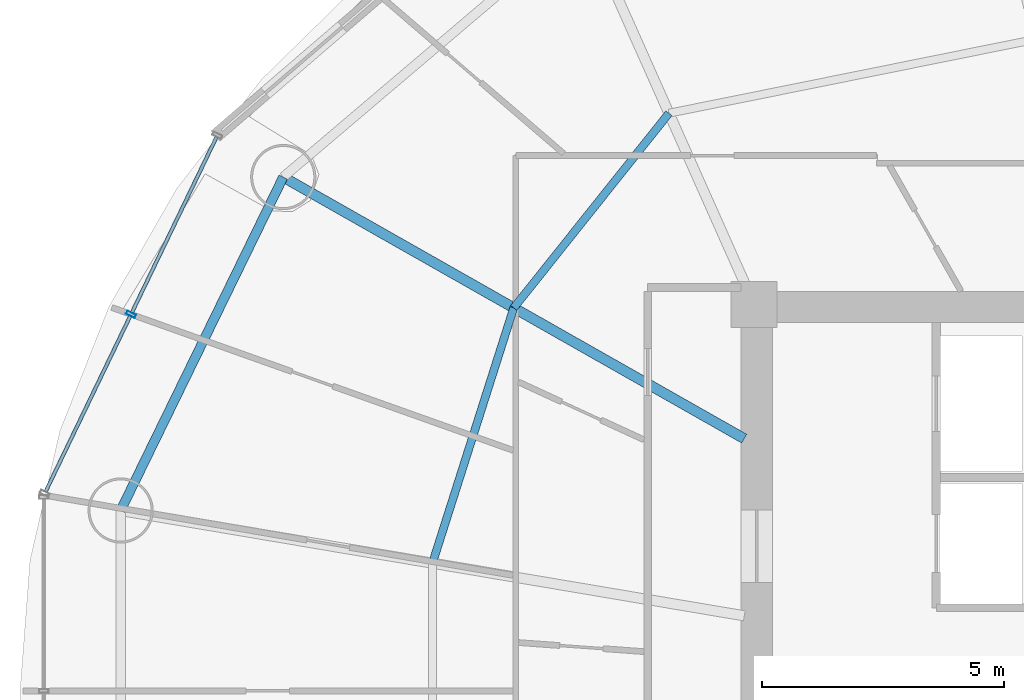
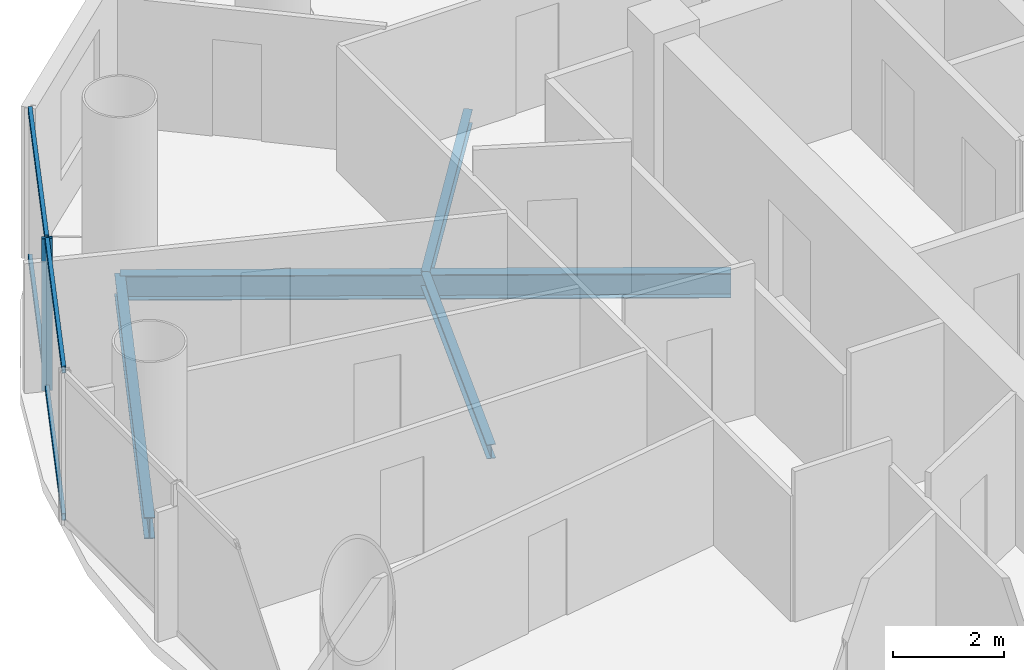
# One storey, part 7 of 26: 5 members, 4 beams, 1 element without a shape of its own.
"""IFC4 building model written with IfcOpenShell, lengths in metres."""

from ifc_helpers import new_model, si_unit, direction, frame, origin, origin_2d, place, context, subcontext, project, spatial, hollow_rectangle, i_section, extrude, source, transform, mapped, material, material_profile, profile_set, type_object, element, aggregate, save


model = new_model("IFC4")

# Units and contexts
model_context = context("Model", 3, precision=1e-05, world=origin(), true_north=direction((-0.2419218956, 0.970295726276)))
body_context = subcontext(model_context, "Body", "Model", "MODEL_VIEW")
ifc_project = project(units=[si_unit("LENGTHUNIT", "METRE"), si_unit("AREAUNIT", "SQUARE_METRE"), si_unit("VOLUMEUNIT", "CUBIC_METRE"), si_unit("PLANEANGLEUNIT", "RADIAN"), si_unit("MASSUNIT", "GRAM", prefix="KILO")], contexts=[model_context])

# Site, building, storey
site_placement = place(None, origin())
site = spatial("IfcSite", under=ifc_project, at=site_placement, CompositionType="ELEMENT")
building_placement = place(site_placement, origin())
building = spatial("IfcBuilding", under=site, at=building_placement, Name="Cobrevalo Terracotta Tower", CompositionType="ELEMENT")
storey_placement = place(building_placement, frame((0.0, 0.0, 171.39990234375)))
storey = spatial("IfcBuildingStorey", under=building, at=storey_placement, Name="L45", CompositionType="ELEMENT", Elevation=171.39990234375)

# Beams
ifc_material_1 = material(Name="Steel S355", Category="steel")
ifc_material_profile_1 = material_profile(ifc_material_1, i_section(OverallWidth=0.2109375, OverallDepth=0.5390625, WebThickness=0.01171875, FlangeThickness=0.018798828125, at=origin_2d()), Name="W 530x109")
ifc_profile_set_1 = profile_set([ifc_material_profile_1], Name="Steel S355")
beam_type_1 = type_object("IfcBeamType", Name="Structural Beam W 530x109 (Steel S355)", PredefinedType="BEAM", material=ifc_profile_set_1)
beam_1_placement = place(storey_placement, frame((19.250244140625, 37.439208984375, -0.539306640625), z_axis=(0.869734177783, -0.493520475762, 0.0), x_axis=(0.493520475762, 0.869734177783, 0.0)))
element("IfcBeam", 1, at=beam_1_placement, inside=storey, type_object=beam_type_1, Name="L45 radial floor girder 07", PredefinedType="BEAM", context=body_context, shape_type="SweptSolid", body=[
    extrude(i_section(OverallWidth=0.2109375, OverallDepth=0.5390625, WebThickness=0.01171875, FlangeThickness=0.018798828125, at=origin_2d()), origin(), (0.0, 0.0, 1.0), 10.974365234375),
])
ifc_material_profile_2 = material_profile(ifc_material_1, i_section(OverallWidth=0.1650390625, OverallDepth=0.31005859375, WebThickness=0.005859375, FlangeThickness=0.009765625, at=origin_2d()), Name="W 310x38.7")
ifc_profile_set_2 = profile_set([ifc_material_profile_2], Name="Steel S355")
beam_type_2 = type_object("IfcBeamType", Name="Structural Joist W 310x38.7 (Steel S355)", PredefinedType="JOIST", material=ifc_profile_set_2)
beam_2_placement = place(storey_placement, frame((27.23583984375, 38.76123046875, -0.4248046875), z_axis=(-0.62340602772, -0.781898282773, 0.0), x_axis=(0.781898282773, -0.62340602772, 0.0)))
element("IfcBeam", 2, at=beam_2_placement, inside=storey, type_object=beam_type_2, Name="L45 circumferential secondary floor joist 06", PredefinedType="JOIST", context=body_context, shape_type="SweptSolid", body=[
    extrude(i_section(OverallWidth=0.1650390625, OverallDepth=0.31005859375, WebThickness=0.005859375, FlangeThickness=0.009765625, at=origin_2d()), origin(), (0.0, 0.0, 1.0), 5.154052734375),
])
beam_3_placement = place(storey_placement, frame((24.022705078125, 34.731201171875, -0.4248046875), z_axis=(-0.303497928386, -0.952832098255, 0.0), x_axis=(0.952832098255, -0.303497928386, 0.0)))
element("IfcBeam", 3, at=beam_3_placement, inside=storey, type_object=beam_type_2, Name="L45 circumferential secondary floor joist 07", PredefinedType="JOIST", context=body_context, shape_type="SweptSolid", body=[
    extrude(i_section(OverallWidth=0.1650390625, OverallDepth=0.31005859375, WebThickness=0.005859375, FlangeThickness=0.009765625, at=origin_2d()), origin(), (0.0, 0.0, 1.0), 5.54736328125),
])
ifc_material_profile_3 = material_profile(ifc_material_1, i_section(OverallWidth=0.194091796875, OverallDepth=0.468994140625, WebThickness=0.011474609375, FlangeThickness=0.0205078125, at=origin_2d()), Name="W 460x106")
ifc_profile_set_3 = profile_set([ifc_material_profile_3], Name="Steel S355")
beam_type_3 = type_object("IfcBeamType", Name="Structural Spandrel W 460x106 (Steel S355)", PredefinedType="SPANDREL", material=ifc_profile_set_3)
beam_4_placement = place(storey_placement, frame((19.250244140625, 37.439208984375, -0.50439453125), z_axis=(-0.438367894028, -0.89879563277, 0.0), x_axis=(0.89879563277, -0.438367894028, 0.0)))
element("IfcBeam", 4, at=beam_4_placement, inside=storey, type_object=beam_type_3, Name="L45 perimeter ring spandrel 07", PredefinedType="SPANDREL", context=body_context, shape_type="SweptSolid", body=[
    extrude(i_section(OverallWidth=0.194091796875, OverallDepth=0.468994140625, WebThickness=0.011474609375, FlangeThickness=0.0205078125, at=origin_2d()), origin(), (0.0, 0.0, 1.0), 7.6806640625),
])

# Curtain wall, members
ifc_material_2 = material(Name="Anodized aluminium", Category="aluminium")
curtain_wall_type = type_object("IfcCurtainWallType", Name="Mid-tower high-wind unitised curtain wall CW-U2", PredefinedType="NOTDEFINED", material=ifc_material_2)
curtain_wall_placement = place(storey_placement, origin())
curtain_wall = element("IfcCurtainWall", 5, at=curtain_wall_placement, inside=storey, type_object=curtain_wall_type, Name="L45 curtain wall CW-L45-S07", PredefinedType="NOTDEFINED")
ifc_material_profile_4 = material_profile(ifc_material_2, hollow_rectangle(XDim=0.074951171875, YDim=0.199951171875, WallThickness=0.0048828125, at=origin_2d()), Name="CWM 75x200")
ifc_profile_set_4 = profile_set([ifc_material_profile_4], Name="Anodized aluminium")
member_type_1 = type_object("IfcMemberType", Name="Lower/mid tower unitised mullion 75x200", PredefinedType="MULLION", material=ifc_profile_set_4)
shared_shape_1 = source(origin(), body_context, "Body", "SweptSolid", [
    extrude(hollow_rectangle(XDim=0.074951171875, YDim=0.199951171875, WallThickness=0.0048828125, at=origin_2d()), origin(), (0.0, 0.0, 1.0), 3.330078125),
])
member_1_placement = place(storey_placement, frame((16.098876953125, 34.595703125, 0.0), z_axis=(0.0, 0.0, 1.0), x_axis=(-0.434209440271, -0.900811945957, 0.0)))
member_1 = element("IfcMember", 6, at=member_1_placement, type_object=member_type_1, Name="CW-L45-S07 vertical mullion 02", PredefinedType="MULLION", context=body_context, shape_type="MappedRepresentation", body=[
    mapped(shared_shape_1, transform((0.0, 0.0, 0.0), scale=1.0)),
])
ifc_material_profile_5 = material_profile(ifc_material_2, hollow_rectangle(XDim=0.074951171875, YDim=0.14990234375, WallThickness=0.00439453125, at=origin_2d()), Name="CWT 75x150")
ifc_profile_set_5 = profile_set([ifc_material_profile_5], Name="Anodized aluminium")
member_type_2 = type_object("IfcMemberType", Name="Tower unitised aluminium transom 75x150", PredefinedType="USERDEFINED", material=ifc_profile_set_5)
shared_shape_2 = source(origin(), body_context, "Body", "SweptSolid", [
    extrude(hollow_rectangle(XDim=0.074951171875, YDim=0.14990234375, WallThickness=0.00439453125, at=origin_2d()), origin(), (0.0, 0.0, 1.0), 4.035888671875),
])
member_2_placement = place(storey_placement, frame((17.86865234375, 38.26708984375, 0.050048828125), z_axis=(-0.434221176581, -0.900806288726, 0.0), x_axis=(0.900806288726, -0.434221176581, 0.0)))
member_2 = element("IfcMember", 7, at=member_2_placement, type_object=member_type_2, Name="CW-L45-S07 transom B01-T1", ObjectType="TRANSOM", PredefinedType="USERDEFINED", context=body_context, shape_type="MappedRepresentation", body=[
    mapped(shared_shape_2, transform((0.0, 0.0, 0.0), scale=1.0)),
])
member_3_placement = place(storey_placement, frame((17.86865234375, 38.26708984375, 3.280029296875), z_axis=(-0.434221176581, -0.900806288726, 0.0), x_axis=(0.900806288726, -0.434221176581, 0.0)))
member_3 = element("IfcMember", 8, at=member_3_placement, type_object=member_type_2, Name="CW-L45-S07 transom B01-T2", ObjectType="TRANSOM", PredefinedType="USERDEFINED", context=body_context, shape_type="MappedRepresentation", body=[
    mapped(shared_shape_2, transform((0.0, 0.0, 0.0), scale=1.0)),
])
member_4_placement = place(storey_placement, frame((16.08154296875, 34.5595703125, 0.050048828125), z_axis=(-0.434221176581, -0.900806288726, 0.0), x_axis=(0.900806288726, -0.434221176581, 0.0)))
member_4 = element("IfcMember", 9, at=member_4_placement, type_object=member_type_2, Name="CW-L45-S07 transom B02-T1", ObjectType="TRANSOM", PredefinedType="USERDEFINED", context=body_context, shape_type="MappedRepresentation", body=[
    mapped(shared_shape_2, transform((0.0, 0.0, 0.0), scale=1.0)),
])
member_5_placement = place(storey_placement, frame((16.08154296875, 34.5595703125, 3.280029296875), z_axis=(-0.434221176581, -0.900806288726, 0.0), x_axis=(0.900806288726, -0.434221176581, 0.0)))
member_5 = element("IfcMember", 10, at=member_5_placement, type_object=member_type_2, Name="CW-L45-S07 transom B02-T2", ObjectType="TRANSOM", PredefinedType="USERDEFINED", context=body_context, shape_type="MappedRepresentation", body=[
    mapped(shared_shape_2, transform((0.0, 0.0, 0.0), scale=1.0)),
])
aggregate(curtain_wall, [member_1, member_2, member_3, member_4, member_5])

save(model, "model.ifc")
